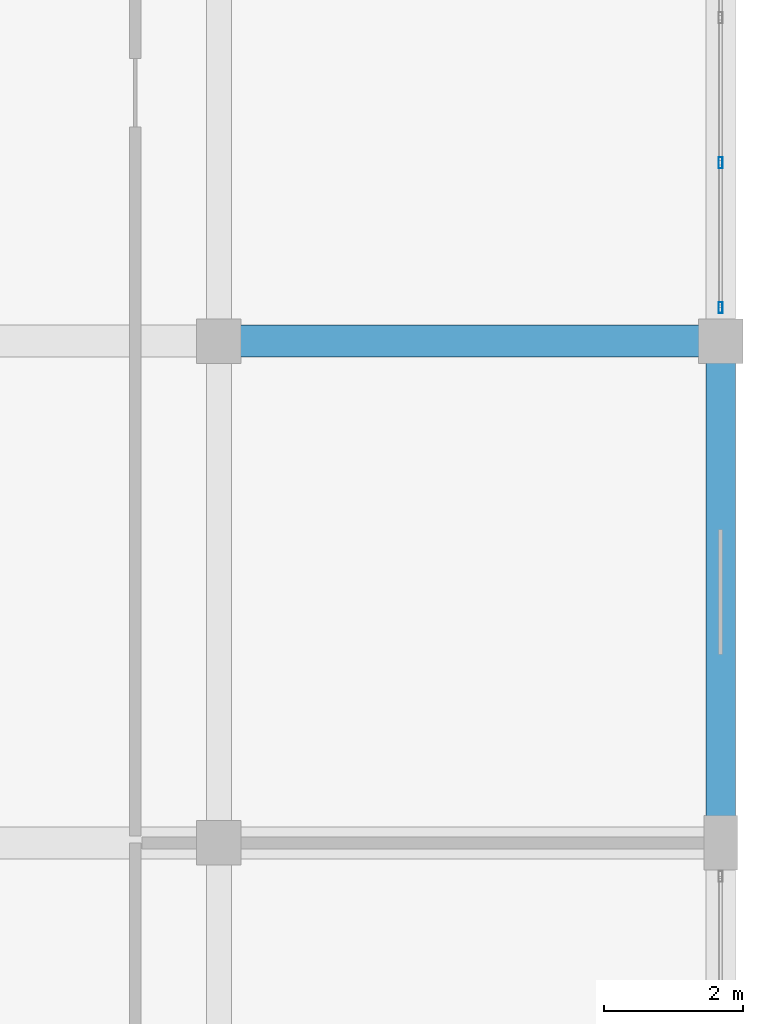
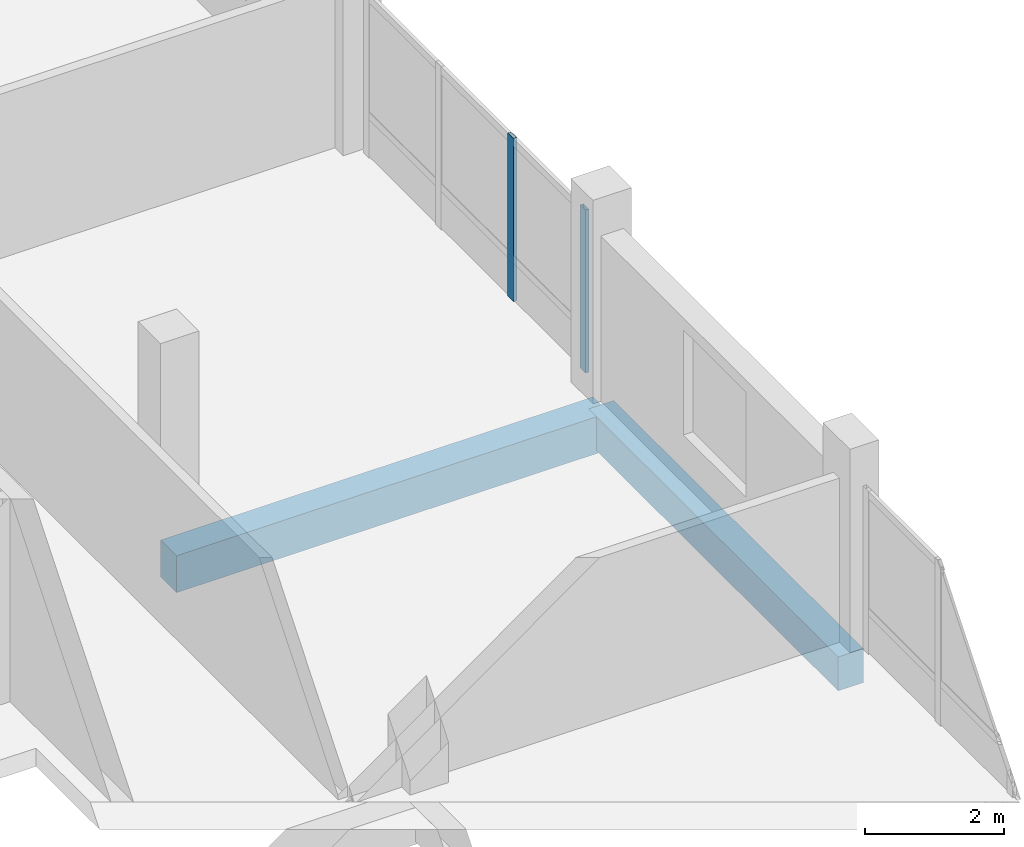
# One storey, part 90 of 128: 2 beams, 2 members, 1 element without a shape of its own.
"""IFC4 building model written with IfcOpenShell, lengths in metres."""

from ifc_helpers import new_model, si_unit, direction, frame, origin, origin_2d, place, context, subcontext, project, spatial, rectangle, hollow_rectangle, extrude, material, material_profile, profile_set, type_object, element, aggregate, save


model = new_model("IFC4")

# Units and contexts
model_context = context("Model", 3, precision=1e-05, world=origin(), true_north=direction((0.0, 1.0)))
body_context = subcontext(model_context, "Body", "Model", "MODEL_VIEW")
ifc_project = project(units=[si_unit("LENGTHUNIT", "METRE"), si_unit("AREAUNIT", "SQUARE_METRE"), si_unit("VOLUMEUNIT", "CUBIC_METRE"), si_unit("PLANEANGLEUNIT", "RADIAN"), si_unit("MASSUNIT", "GRAM", prefix="KILO")], contexts=[model_context])

# Site, building, storey
site_placement = place(None, origin())
site = spatial("IfcSite", under=ifc_project, at=site_placement, CompositionType="ELEMENT")
building_placement = place(site_placement, origin())
building = spatial("IfcBuilding", under=site, at=building_placement, Name="Zornivar Specialist Clinic", CompositionType="ELEMENT")
storey_placement = place(building_placement, frame((0.0, 0.0, 4.5)))
storey = spatial("IfcBuildingStorey", under=building, at=storey_placement, Name="L01", CompositionType="ELEMENT", Elevation=4.5)

# Beams
ifc_material_1 = material(Name="Concrete C30/37", Category="concrete")
ifc_material_profile_1 = material_profile(ifc_material_1, rectangle(XDim=0.4599609375, YDim=0.64990234375, at=origin_2d()), Name="RC 460x650")
ifc_profile_set_1 = profile_set([ifc_material_profile_1], Name="Concrete C30/37")
beam_type_1 = type_object("IfcBeamType", Name="BM-RC-460x650", PredefinedType="BEAM", material=ifc_profile_set_1)
beam_1_placement = place(storey_placement, frame((158.39990234375, 79.199951171875, -0.64501953125), z_axis=(1.0, 0.0, 0.0), x_axis=(0.0, 1.0, 0.0)))
element("IfcBeam", 1, at=beam_1_placement, inside=storey, type_object=beam_type_1, Name="bm:V6:L01:x:792:3", PredefinedType="BEAM", context=body_context, shape_type="SweptSolid", body=[
    extrude(rectangle(XDim=0.4599609375, YDim=0.64990234375, at=origin_2d()), origin(), (0.0, 0.0, 1.0), 7.2001953125),
])
ifc_material_2 = material(Name="Concrete C30/37", Category="concrete")
ifc_material_profile_2 = material_profile(ifc_material_2, rectangle(XDim=0.419921875, YDim=0.60009765625, at=origin_2d()), Name="RC 420x600")
ifc_profile_set_2 = profile_set([ifc_material_profile_2], Name="Concrete C30/37")
beam_type_2 = type_object("IfcBeamType", Name="BM-RC-SPANDREL-420x600", PredefinedType="SPANDREL", material=ifc_profile_set_2)
beam_2_placement = place(storey_placement, frame((165.60009765625, 72.0, -0.6201171875), z_axis=(0.0, 1.0, 0.0), x_axis=(-1.0, 0.0, 0.0)))
element("IfcBeam", 2, at=beam_2_placement, inside=storey, type_object=beam_type_2, Name="bm:V6:L01:y:1656:1", PredefinedType="SPANDREL", context=body_context, shape_type="SweptSolid", body=[
    extrude(rectangle(XDim=0.419921875, YDim=0.60009765625, at=origin_2d()), origin(), (0.0, 0.0, 1.0), 7.199951171875),
])

# Curtain wall, members
ifc_material_3 = material(Name="Aluminium and Low-E Glass Curtain Wall", Category="aluminium")
curtain_wall_type = type_object("IfcCurtainWallType", Name="CW-LAB-NORTH", PredefinedType="NOTDEFINED", material=ifc_material_3)
curtain_wall_placement = place(storey_placement, origin())
curtain_wall = element("IfcCurtainWall", 3, at=curtain_wall_placement, inside=storey, type_object=curtain_wall_type, Name="cw:V6:L01:06", PredefinedType="NOTDEFINED")
ifc_material_4 = material(Name="Aluminium AW-6060", Category="aluminium")
ifc_material_profile_3 = material_profile(ifc_material_4, hollow_rectangle(XDim=0.06005859375, YDim=0.159912109375, WallThickness=0.00390625, at=origin_2d()), Name="ALU 60x160x4")
ifc_profile_set_3 = profile_set([ifc_material_profile_3], Name="Aluminium AW-6060")
member_type = type_object("IfcMemberType", Name="CWM-MUL-160", PredefinedType="MULLION", material=ifc_profile_set_3)
member_1_placement = place(storey_placement, frame((165.60009765625, 79.679931640625, 0.0), z_axis=(0.0, 0.0, 1.0), x_axis=(1.0, 0.0, 0.0)))
member_1 = element("IfcMember", 4, at=member_1_placement, type_object=member_type, Name="cw:V6:L01:06:mul:0", PredefinedType="MULLION", context=body_context, shape_type="SweptSolid", body=[
    extrude(hollow_rectangle(XDim=0.06005859375, YDim=0.159912109375, WallThickness=0.00390625, at=origin_2d()), origin(), (0.0, 0.0, 1.0), 2.8701171875),
])
member_2_placement = place(storey_placement, frame((165.60009765625, 81.760009765625, 0.0), z_axis=(0.0, 0.0, 1.0), x_axis=(1.0, 0.0, 0.0)))
member_2 = element("IfcMember", 5, at=member_2_placement, type_object=member_type, Name="cw:V6:L01:06:mul:1", PredefinedType="MULLION", context=body_context, shape_type="SweptSolid", body=[
    extrude(hollow_rectangle(XDim=0.06005859375, YDim=0.159912109375, WallThickness=0.00390625, at=origin_2d()), origin(), (0.0, 0.0, 1.0), 2.8701171875),
])
aggregate(curtain_wall, [member_1, member_2])

save(model, "model.ifc")
